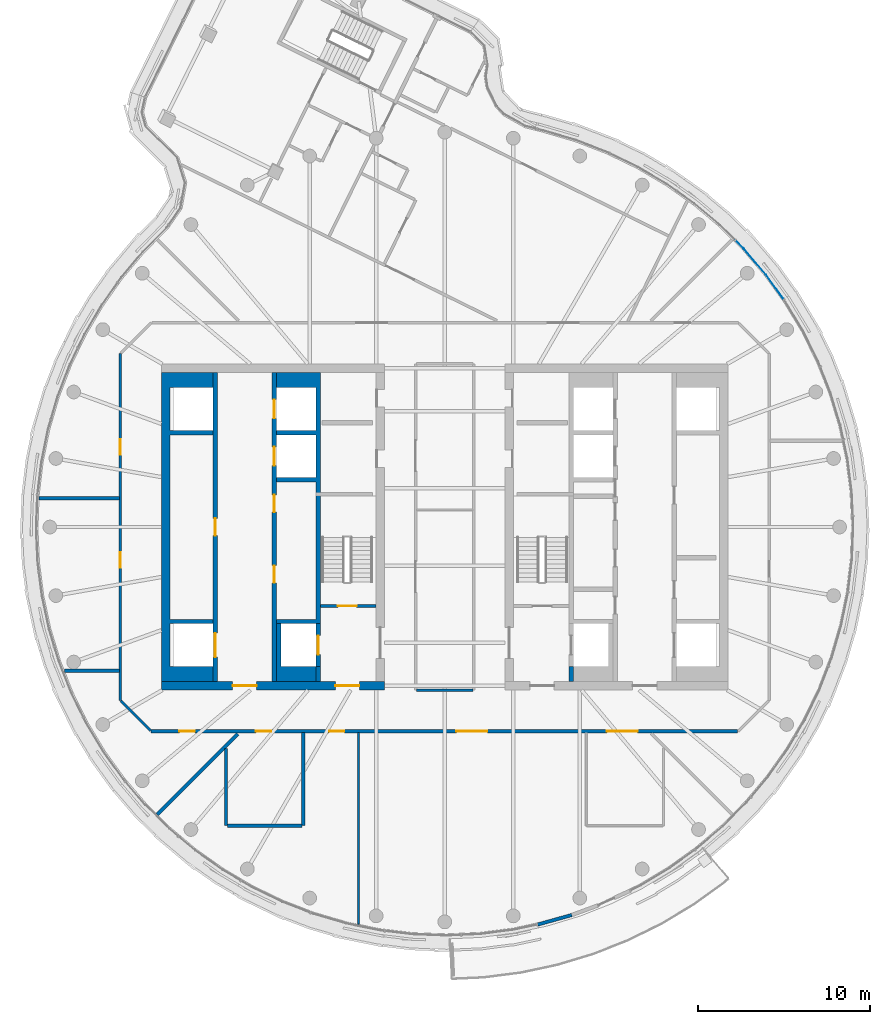
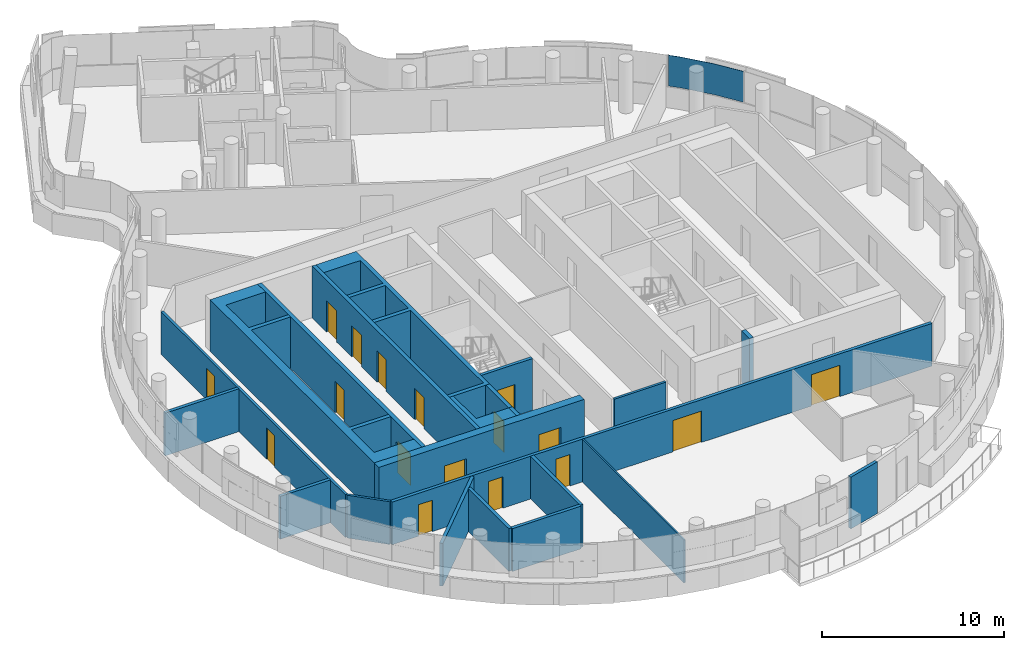
# One storey, part 13 of 21: 22 walls, 17 doors, 1 plate, 17 openings, 1 element without a shape of its own.
"""IFC4 building model written with IfcOpenShell, lengths in metres."""

from ifc_helpers import new_model, si_unit, direction, frame, frame_2d, origin, place, context, subcontext, project, spatial, polyline, rectangle, outline, extrude, material, layer, layer_set, type_object, element, fill, aggregate, save


model = new_model("IFC4")

# Units and contexts
model_context = context("Model", 3, precision=1e-05, world=origin(), true_north=direction((0.0, 1.0)))
body_context = subcontext(model_context, "Body", "Model", "MODEL_VIEW")
ifc_project = project(units=[si_unit("LENGTHUNIT", "METRE"), si_unit("AREAUNIT", "SQUARE_METRE"), si_unit("VOLUMEUNIT", "CUBIC_METRE"), si_unit("PLANEANGLEUNIT", "RADIAN"), si_unit("MASSUNIT", "GRAM", prefix="KILO")], contexts=[model_context])

# Site, building, storey
site_placement = place(None, origin())
site = spatial("IfcSite", under=ifc_project, at=site_placement, CompositionType="ELEMENT")
building_placement = place(site_placement, origin())
building = spatial("IfcBuilding", under=site, at=building_placement, Name="Tamarind Cross Interchange Tower", CompositionType="ELEMENT")
storey_placement = place(building_placement, frame((0.0, 0.0, 264.0)))
storey = spatial("IfcBuildingStorey", under=building, at=storey_placement, Name="L67", CompositionType="ELEMENT", Elevation=264.0)

# Curtain wall, plate
ifc_material_1 = material(Name="Aluminium 6063-T6", Category="aluminium")
ifc_layer_1 = layer(ifc_material_1, 0.139892578125)
ifc_layer_set_1 = layer_set([ifc_layer_1], Name="Aluminium 6063-T6")
curtain_wall_type = type_object("IfcCurtainWallType", Name="Hotel curtain wall, 4.5 m bays", PredefinedType="NOTDEFINED", material=ifc_layer_set_1)
curtain_wall_placement = place(storey_placement, origin())
curtain_wall = element("IfcCurtainWall", 1, at=curtain_wall_placement, inside=storey, type_object=curtain_wall_type, Name="CWS-L67-01", PredefinedType="NOTDEFINED")
ifc_material_2 = material(Name="Laminated low-e glass 6+1.52+6", Category="glass")
ifc_layer_2 = layer(ifc_material_2, 0.02392578125)
ifc_layer_set_2 = layer_set([ifc_layer_2], Name="Laminated low-e glass 6+1.52+6")
plate_type = type_object("IfcPlateType", Name="Vision panel CW2", PredefinedType="CURTAIN_PANEL", material=ifc_layer_set_2)
plate_placement = place(storey_placement, frame((0.0, 0.0, 1.39990234375)))
plate = element("IfcPlate", 2, at=plate_placement, type_object=plate_type, Name="CWP-L67-01-25", PredefinedType="CURTAIN_PANEL", context=body_context, shape_type="SweptSolid", body=[
    extrude(outline(polyline([(19.72412109375, 13.275634765625), (18.705810546875, 14.68896484375), (17.4287109375, 16.183349609375), (16.93359375, 16.67431640625), (16.950439453125, 16.69140625), (17.4462890625, 16.19970703125), (18.724609375, 14.703857421875), (19.743408203125, 13.28955078125), (19.72412109375, 13.275634765625)])), origin(), (0.0, 0.0, 1.0), 2.06005859375),
])
aggregate(curtain_wall, [plate])

# Wall
ifc_material_3 = material(Name="Concrete C40", Category="concrete")
ifc_layer_3 = layer(ifc_material_3, 0.199951171875)
ifc_layer_set_3 = layer_set([ifc_layer_3], Name="Concrete C40")
wall_type_1 = type_object("IfcWallType", Name="Balcony and garden door wall", PredefinedType="SOLIDWALL", material=ifc_layer_set_3)
wall_1_placement = place(storey_placement, frame((5.413330078125, -23.1552734375, 0.0), z_axis=(0.0, 0.0, 1.0), x_axis=(0.963204125622, 0.268770929203, 0.0)))
element("IfcWall", 3, at=wall_1_placement, inside=storey, type_object=wall_type_1, Name="EXW-L67-01-D15L", PredefinedType="SOLIDWALL", context=body_context, shape_type="SweptSolid", body=[
    extrude(rectangle(XDim=2.06640625, YDim=0.199951171875, at=frame_2d((1.033203125, 0.0))), origin(), (0.0, 0.0, 1.0), 3.4599609375),
])

# Wall, openings, doors
ifc_material_4 = material(Name="Concrete C50", Category="concrete")
ifc_layer_4 = layer(ifc_material_4, 0.5)
ifc_layer_set_4 = layer_set([ifc_layer_4], Name="Concrete C50")
wall_type_2 = type_object("IfcWallType", Name="Core wall 500 mm Concrete C50", PredefinedType="SHEAR", material=ifc_layer_set_4)
wall_2_placement = place(storey_placement, frame((-16.5, -9.25, 0.0), z_axis=(0.0, 0.0, 1.0), x_axis=(1.0, 0.0, 0.0)))
wall_2 = element("IfcWall", 4, at=wall_2_placement, inside=storey, type_object=wall_type_2, Name="Core wall CWL-L67-W-S", PredefinedType="SHEAR", context=body_context, shape_type="SweptSolid", body=[
    extrude(rectangle(XDim=13.0, YDim=0.5, at=frame_2d((6.5, 0.0))), origin(), (0.0, 0.0, 1.0), 3.4599609375),
])
opening_1_placement = place(wall_2_placement, frame((4.14990234375, 0.0, 0.0)))
opening_1 = element("IfcOpeningElement", 5, at=opening_1_placement, cuts=wall_2, Name="Opening DCW1", PredefinedType="OPENING", context=body_context, shape_type="SweptSolid", body=[
    extrude(rectangle(XDim=1.39990234375, YDim=2.10009765625, at=frame_2d((0.699951171875, 1.050048828125))), frame((0.0, 0.260009765625, 0.0), z_axis=(0.0, -1.0, 0.0), x_axis=(1.0, 0.0, 0.0)), (0.0, 0.0, 1.0), 0.52001953125),
])
opening_2_placement = place(wall_2_placement, frame((10.125, 0.0, 0.0)))
opening_2 = element("IfcOpeningElement", 6, at=opening_2_placement, cuts=wall_2, Name="Opening DCWF", PredefinedType="OPENING", context=body_context, shape_type="SweptSolid", body=[
    extrude(rectangle(XDim=1.39990234375, YDim=2.10009765625, at=frame_2d((0.699951171875, 1.050048828125))), frame((0.0, 0.260009765625, 0.0), z_axis=(0.0, -1.0, 0.0), x_axis=(1.0, 0.0, 0.0)), (0.0, 0.0, 1.0), 0.52001953125),
])
ifc_material_5 = material(Name="Steel, fire-resisting", Category="steel")
door_type_1 = type_object("IfcDoorType", Name="Core fire door 1400 x 2100 FD90", OperationType="SINGLE_SWING_LEFT", PredefinedType="DOOR", material=ifc_material_5)
door_1_placement = place(opening_1_placement, origin())
door_1 = element("IfcDoor", 7, at=door_1_placement, inside=storey, type_object=door_type_1, Name="L67 lift lobby door", OperationType="SINGLE_SWING_LEFT", OverallHeight=2.10009765625, OverallWidth=1.39990234375, PredefinedType="DOOR", context=body_context, shape_type="SweptSolid", body=[
    extrude(rectangle(XDim=1.39990234375, YDim=2.10009765625, at=frame_2d((0.699951171875, 1.050048828125))), frame((0.0, 0.02490234375, 0.0), z_axis=(0.0, -1.0, 0.0), x_axis=(1.0, 0.0, 0.0)), (0.0, 0.0, 1.0), 0.050048828125),
])
fill(opening_1, door_1)
door_2_placement = place(opening_2_placement, origin())
door_2 = element("IfcDoor", 8, at=door_2_placement, inside=storey, type_object=door_type_1, Name="L67 firefighting lobby end door", OperationType="SINGLE_SWING_LEFT", OverallHeight=2.10009765625, OverallWidth=1.39990234375, PredefinedType="DOOR", context=body_context, shape_type="SweptSolid", body=[
    extrude(rectangle(XDim=1.39990234375, YDim=2.10009765625, at=frame_2d((0.699951171875, 1.050048828125))), frame((0.0, 0.02490234375, 0.0), z_axis=(0.0, -1.0, 0.0), x_axis=(1.0, 0.0, 0.0)), (0.0, 0.0, 1.0), 0.050048828125),
])
fill(opening_2, door_2)

# Walls
wall_3_placement = place(storey_placement, origin())
element("IfcWall", 9, at=wall_3_placement, inside=storey, type_object=wall_type_2, Name="Core wall CWL-L67-W-A", PredefinedType="SHEAR", context=body_context, shape_type="SweptSolid", body=[
    extrude(outline(polyline([(-13.5, -8.125), (-16.0, -8.125), (-16.0, -5.625), (-13.5, -5.625), (-13.5, -5.375), (-16.0, -5.375), (-16.0, 5.375), (-13.5, 5.375), (-13.5, 5.625), (-16.0, 5.625), (-16.0, 8.125), (-13.5, 8.125), (-13.5, 9.0), (-16.0, 9.0), (-16.5, 9.0), (-16.5, -9.0), (-16.0, -9.0), (-13.5, -9.0), (-13.5, -8.125)])), origin(), (0.0, 0.0, 1.0), 3.4599609375),
])
ifc_layer_5 = layer(ifc_material_4, 0.25)
ifc_layer_set_5 = layer_set([ifc_layer_5], Name="Concrete C50")
wall_type_3 = type_object("IfcWallType", Name="Core web wall 250 mm Concrete C50", PredefinedType="SHEAR", material=ifc_layer_set_5)
wall_4_placement = place(storey_placement, origin())
element("IfcWall", 10, at=wall_4_placement, inside=storey, type_object=wall_type_3, Name="Core wall CWL-L67-W-BN", PredefinedType="SHEAR", context=body_context, shape_type="SweptSolid", body=[
    extrude(outline(polyline([(-9.800048828125, -5.375), (-9.800048828125, -5.625), (-7.5, -5.625), (-7.25, -5.625), (-7.25, 9.0), (-7.5, 9.0), (-9.800048828125, 9.0), (-9.800048828125, 8.125), (-7.5, 8.125), (-7.5, 5.625), (-9.800048828125, 5.625), (-9.800048828125, 5.375), (-7.5, 5.375), (-7.5, 2.875), (-9.800048828125, 2.875), (-9.800048828125, 2.625), (-7.5, 2.625), (-7.5, -5.375), (-9.800048828125, -5.375)])), origin(), (0.0, 0.0, 1.0), 3.4599609375),
])
wall_5_placement = place(storey_placement, origin())
element("IfcWall", 11, at=wall_5_placement, inside=storey, type_object=wall_type_3, Name="Core wall CWL-L67-W-BS", PredefinedType="SHEAR", context=body_context, shape_type="SweptSolid", body=[
    extrude(outline(polyline([(-7.5, -8.125), (-9.550048828125, -8.125), (-9.550048828125, -5.625), (-9.800048828125, -5.625), (-9.800048828125, -8.125), (-9.800048828125, -9.0), (-7.5, -9.0), (-7.5, -8.125)])), origin(), (0.0, 0.0, 1.0), 3.4599609375),
])
wall_6_placement = place(storey_placement, frame((-7.375, -9.0, 0.0), z_axis=(0.0, 0.0, 1.0), x_axis=(0.0, 1.0, 0.0)))
element("IfcWall", 12, at=wall_6_placement, inside=storey, type_object=wall_type_3, Name="Core wall CWL-L67-W-BW", PredefinedType="SHEAR", context=body_context, shape_type="SweptSolid", body=[
    extrude(rectangle(XDim=0.875, YDim=0.25, at=frame_2d((0.4375, 0.0))), origin(), (0.0, 0.0, 1.0), 3.4599609375),
])

# Wall, openings, doors
wall_7_placement = place(storey_placement, frame((-13.375, -9.0, 0.0), z_axis=(0.0, 0.0, 1.0), x_axis=(0.0, 1.0, 0.0)))
wall_7 = element("IfcWall", 13, at=wall_7_placement, inside=storey, type_object=wall_type_3, Name="Core wall CWL-L67-W-LA", PredefinedType="SHEAR", context=body_context, shape_type="SweptSolid", body=[
    extrude(rectangle(XDim=18.0, YDim=0.25, at=frame_2d((9.0, 0.0))), origin(), (0.0, 0.0, 1.0), 3.4599609375),
])
opening_3_placement = place(wall_7_placement, frame((1.425048828125, 0.0, 0.0)))
opening_3 = element("IfcOpeningElement", 14, at=opening_3_placement, cuts=wall_7, Name="Opening LD1L67", PredefinedType="OPENING", context=body_context, shape_type="SweptSolid", body=[
    extrude(rectangle(XDim=1.39990234375, YDim=2.10009765625, at=frame_2d((0.699951171875, 1.050048828125))), frame((0.0, 0.135009765625, 0.0), z_axis=(0.0, -1.0, 0.0), x_axis=(1.0, 0.0, 0.0)), (0.0, 0.0, 1.0), 0.27001953125),
])
opening_4_placement = place(wall_7_placement, frame((8.5, 0.0, 0.0)))
opening_4 = element("IfcOpeningElement", 15, at=opening_4_placement, cuts=wall_7, Name="Opening DCW9", PredefinedType="OPENING", context=body_context, shape_type="SweptSolid", body=[
    extrude(rectangle(XDim=1.0, YDim=2.10009765625, at=frame_2d((0.5, 1.050048828125))), frame((0.0, 0.135009765625, 0.0), z_axis=(0.0, -1.0, 0.0), x_axis=(1.0, 0.0, 0.0)), (0.0, 0.0, 1.0), 0.27001953125),
])
door_type_2 = type_object("IfcDoorType", Name="Core fire door 1000 x 2100 FD90", OperationType="SINGLE_SWING_LEFT", PredefinedType="DOOR", material=ifc_material_5)
door_3_placement = place(opening_4_placement, origin())
door_3 = element("IfcDoor", 16, at=door_3_placement, inside=storey, type_object=door_type_2, Name="L67 Linen press door", OperationType="SINGLE_SWING_LEFT", OverallHeight=2.10009765625, OverallWidth=1.0, PredefinedType="DOOR", context=body_context, shape_type="SweptSolid", body=[
    extrude(rectangle(XDim=1.0, YDim=2.10009765625, at=frame_2d((0.5, 1.050048828125))), frame((0.0, 0.02490234375, 0.0), z_axis=(0.0, -1.0, 0.0), x_axis=(1.0, 0.0, 0.0)), (0.0, 0.0, 1.0), 0.050048828125),
])
fill(opening_4, door_3)
ifc_material_6 = material(Name="Stainless steel panel", Category="steel")
door_type_3 = type_object("IfcDoorType", Name="Lift landing door 1400 x 2100 E 120", OperationType="SLIDING_TO_LEFT", PredefinedType="DOOR", material=ifc_material_6)
door_4_placement = place(opening_3_placement, origin())
door_4 = element("IfcDoor", 17, at=door_4_placement, inside=storey, type_object=door_type_3, Name="L67 landing door LF1", OperationType="SLIDING_TO_LEFT", OverallHeight=2.10009765625, OverallWidth=1.39990234375, PredefinedType="DOOR", context=body_context, shape_type="SweptSolid", body=[
    extrude(rectangle(XDim=1.39990234375, YDim=2.10009765625, at=frame_2d((0.699951171875, 1.050048828125))), frame((0.0, 0.02490234375, 0.0), z_axis=(0.0, -1.0, 0.0), x_axis=(1.0, 0.0, 0.0)), (0.0, 0.0, 1.0), 0.050048828125),
])
fill(opening_3, door_4)

wall_8_placement = place(storey_placement, frame((-9.925048828125, -9.0, 0.0), z_axis=(0.0, 0.0, 1.0), x_axis=(0.0, 1.0, 0.0)))
wall_8 = element("IfcWall", 18, at=wall_8_placement, inside=storey, type_object=wall_type_3, Name="Core wall CWL-L67-W-LB", PredefinedType="SHEAR", context=body_context, shape_type="SweptSolid", body=[
    extrude(rectangle(XDim=18.0, YDim=0.25, at=frame_2d((9.0, 0.0))), origin(), (0.0, 0.0, 1.0), 3.4599609375),
])
opening_5_placement = place(wall_8_placement, frame((12.574951171875, 0.0, 0.0)))
opening_5 = element("IfcOpeningElement", 19, at=opening_5_placement, cuts=wall_8, Name="Opening LD11L67", PredefinedType="OPENING", context=body_context, shape_type="SweptSolid", body=[
    extrude(rectangle(XDim=1.10009765625, YDim=2.10009765625, at=frame_2d((0.550048828125, 1.050048828125))), frame((0.0, 0.135009765625, 0.0), z_axis=(0.0, -1.0, 0.0), x_axis=(1.0, 0.0, 0.0)), (0.0, 0.0, 1.0), 0.27001953125),
])
opening_6_placement = place(wall_8_placement, frame((15.324951171875, 0.0, 0.0)))
opening_6 = element("IfcOpeningElement", 20, at=opening_6_placement, cuts=wall_8, Name="Opening LD12L67", PredefinedType="OPENING", context=body_context, shape_type="SweptSolid", body=[
    extrude(rectangle(XDim=1.10009765625, YDim=2.10009765625, at=frame_2d((0.550048828125, 1.050048828125))), frame((0.0, 0.135009765625, 0.0), z_axis=(0.0, -1.0, 0.0), x_axis=(1.0, 0.0, 0.0)), (0.0, 0.0, 1.0), 0.27001953125),
])
opening_7_placement = place(wall_8_placement, frame((5.75, 0.0, 0.0)))
opening_7 = element("IfcOpeningElement", 21, at=opening_7_placement, cuts=wall_8, Name="Opening DCW21", PredefinedType="OPENING", context=body_context, shape_type="SweptSolid", body=[
    extrude(rectangle(XDim=1.0, YDim=2.10009765625, at=frame_2d((0.5, 1.050048828125))), frame((0.0, 0.135009765625, 0.0), z_axis=(0.0, -1.0, 0.0), x_axis=(1.0, 0.0, 0.0)), (0.0, 0.0, 1.0), 0.27001953125),
])
opening_8_placement = place(wall_8_placement, frame((9.875, 0.0, 0.0)))
opening_8 = element("IfcOpeningElement", 22, at=opening_8_placement, cuts=wall_8, Name="Opening DCW21", PredefinedType="OPENING", context=body_context, shape_type="SweptSolid", body=[
    extrude(rectangle(XDim=1.0, YDim=2.10009765625, at=frame_2d((0.5, 1.050048828125))), frame((0.0, 0.135009765625, 0.0), z_axis=(0.0, -1.0, 0.0), x_axis=(1.0, 0.0, 0.0)), (0.0, 0.0, 1.0), 0.27001953125),
])
door_5_placement = place(opening_7_placement, origin())
door_5 = element("IfcDoor", 23, at=door_5_placement, inside=storey, type_object=door_type_2, Name="L67 Housekeeping pantry door", OperationType="SINGLE_SWING_LEFT", OverallHeight=2.10009765625, OverallWidth=1.0, PredefinedType="DOOR", context=body_context, shape_type="SweptSolid", body=[
    extrude(rectangle(XDim=1.0, YDim=2.10009765625, at=frame_2d((0.5, 1.050048828125))), frame((0.0, 0.02490234375, 0.0), z_axis=(0.0, -1.0, 0.0), x_axis=(1.0, 0.0, 0.0)), (0.0, 0.0, 1.0), 0.050048828125),
])
fill(opening_7, door_5)
door_6_placement = place(opening_8_placement, origin())
door_6 = element("IfcDoor", 24, at=door_6_placement, inside=storey, type_object=door_type_2, Name="L67 Housekeeping pantry door", OperationType="SINGLE_SWING_LEFT", OverallHeight=2.10009765625, OverallWidth=1.0, PredefinedType="DOOR", context=body_context, shape_type="SweptSolid", body=[
    extrude(rectangle(XDim=1.0, YDim=2.10009765625, at=frame_2d((0.5, 1.050048828125))), frame((0.0, 0.02490234375, 0.0), z_axis=(0.0, -1.0, 0.0), x_axis=(1.0, 0.0, 0.0)), (0.0, 0.0, 1.0), 0.050048828125),
])
fill(opening_8, door_6)
door_type_4 = type_object("IfcDoorType", Name="Lift landing door 1100 x 2100 E 120", OperationType="SLIDING_TO_LEFT", PredefinedType="DOOR", material=ifc_material_6)
door_7_placement = place(opening_5_placement, origin())
door_7 = element("IfcDoor", 25, at=door_7_placement, inside=storey, type_object=door_type_4, Name="L67 landing door LF11", OperationType="SLIDING_TO_LEFT", OverallHeight=2.10009765625, OverallWidth=1.10009765625, PredefinedType="DOOR", context=body_context, shape_type="SweptSolid", body=[
    extrude(rectangle(XDim=1.10009765625, YDim=2.10009765625, at=frame_2d((0.550048828125, 1.050048828125))), frame((0.0, 0.02490234375, 0.0), z_axis=(0.0, -1.0, 0.0), x_axis=(1.0, 0.0, 0.0)), (0.0, 0.0, 1.0), 0.050048828125),
])
fill(opening_5, door_7)
door_8_placement = place(opening_6_placement, origin())
door_8 = element("IfcDoor", 26, at=door_8_placement, inside=storey, type_object=door_type_4, Name="L67 landing door LF12", OperationType="SLIDING_TO_LEFT", OverallHeight=2.10009765625, OverallWidth=1.10009765625, PredefinedType="DOOR", context=body_context, shape_type="SweptSolid", body=[
    extrude(rectangle(XDim=1.10009765625, YDim=2.10009765625, at=frame_2d((0.550048828125, 1.050048828125))), frame((0.0, 0.02490234375, 0.0), z_axis=(0.0, -1.0, 0.0), x_axis=(1.0, 0.0, 0.0)), (0.0, 0.0, 1.0), 0.050048828125),
])
fill(opening_6, door_8)

# Wall, opening, door
wall_9_placement = place(storey_placement, frame((-7.375, -8.125, 0.0), z_axis=(0.0, 0.0, 1.0), x_axis=(0.0, 1.0, 0.0)))
wall_9 = element("IfcWall", 27, at=wall_9_placement, inside=storey, type_object=wall_type_3, Name="Core wall CWL-L67-W-FF", PredefinedType="SHEAR", context=body_context, shape_type="SweptSolid", body=[
    extrude(rectangle(XDim=2.5, YDim=0.25, at=frame_2d((1.25, 0.0))), origin(), (0.0, 0.0, 1.0), 3.4599609375),
])
opening_9_placement = place(wall_9_placement, frame((0.699951171875, 0.0, 0.0)))
opening_9 = element("IfcOpeningElement", 28, at=opening_9_placement, cuts=wall_9, Name="Opening LD7L67", PredefinedType="OPENING", context=body_context, shape_type="SweptSolid", body=[
    extrude(rectangle(XDim=1.10009765625, YDim=2.10009765625, at=frame_2d((0.550048828125, 1.050048828125))), frame((0.0, 0.135009765625, 0.0), z_axis=(0.0, -1.0, 0.0), x_axis=(1.0, 0.0, 0.0)), (0.0, 0.0, 1.0), 0.27001953125),
])
door_9_placement = place(opening_9_placement, origin())
door_9 = element("IfcDoor", 29, at=door_9_placement, inside=storey, type_object=door_type_4, Name="L67 landing door LF7", OperationType="SLIDING_TO_LEFT", OverallHeight=2.10009765625, OverallWidth=1.10009765625, PredefinedType="DOOR", context=body_context, shape_type="SweptSolid", body=[
    extrude(rectangle(XDim=1.10009765625, YDim=2.10009765625, at=frame_2d((0.550048828125, 1.050048828125))), frame((0.0, 0.02490234375, 0.0), z_axis=(0.0, -1.0, 0.0), x_axis=(1.0, 0.0, 0.0)), (0.0, 0.0, 1.0), 0.050048828125),
])
fill(opening_9, door_9)

# Walls
wall_10_placement = place(storey_placement, frame((7.375, -9.0, 0.0), z_axis=(0.0, 0.0, 1.0), x_axis=(0.0, 1.0, 0.0)))
element("IfcWall", 30, at=wall_10_placement, inside=storey, type_object=wall_type_3, Name="Core wall CWL-L67-E-BW", PredefinedType="SHEAR", context=body_context, shape_type="SweptSolid", body=[
    extrude(rectangle(XDim=0.875, YDim=0.25, at=frame_2d((0.4375, 0.0))), origin(), (0.0, 0.0, 1.0), 3.4599609375),
])
ifc_material_7 = material(Name="Gypsum board partition on steel studs", Category="steel")
ifc_layer_6 = layer(ifc_material_7, 0.10009765625)
ifc_layer_set_6 = layer_set([ifc_layer_6], Name="Gypsum board partition on steel studs")
wall_type_4 = type_object("IfcWallType", Name="Partition 100 mm EI 90", PredefinedType="PARTITIONING", material=ifc_layer_set_6)
wall_11_placement = place(storey_placement, frame((-5.02197265625, -23.13720703125, 0.0), z_axis=(0.0, 0.0, 1.0), x_axis=(0.0, 1.0, 0.0)))
element("IfcWall", 31, at=wall_11_placement, inside=storey, type_object=wall_type_4, Name="Partition L67-044", PredefinedType="PARTITIONING", context=body_context, shape_type="SweptSolid", body=[
    extrude(rectangle(XDim=11.1572265625, YDim=0.10009765625, at=frame_2d((5.57861328125, 0.0))), origin(), (0.0, 0.0, 1.0), 2.864013671875),
])
ifc_layer_7 = layer(ifc_material_7, 0.14990234375)
ifc_layer_set_7 = layer_set([ifc_layer_7], Name="Gypsum board partition on steel studs")
wall_type_5 = type_object("IfcWallType", Name="Partition 150 mm EI 120", PredefinedType="PARTITIONING", material=ifc_layer_set_7)
wall_12_placement = place(storey_placement, frame((-18.87158203125, -10.12841796875, 0.0), z_axis=(0.0, 0.0, 1.0), x_axis=(0.707106781187, -0.707106781187, 0.0)))
element("IfcWall", 32, at=wall_12_placement, inside=storey, type_object=wall_type_5, Name="Partition L67-001", PredefinedType="PARTITIONING", context=body_context, shape_type="SweptSolid", body=[
    extrude(rectangle(XDim=2.455078125, YDim=0.14990234375, at=frame_2d((1.2275390625, 0.0))), origin(), (0.0, 0.0, 1.0), 2.864013671875),
])
wall_13_placement = place(storey_placement, frame((-1.639892578125, -9.5, 0.0), z_axis=(0.0, 0.0, 1.0), x_axis=(1.0, 0.0, 0.0)))
element("IfcWall", 33, at=wall_13_placement, inside=storey, type_object=wall_type_5, Name="Partition L67-022", PredefinedType="PARTITIONING", context=body_context, shape_type="SweptSolid", body=[
    extrude(rectangle(XDim=3.27978515625, YDim=0.14990234375, at=frame_2d((1.639892578125, 0.0))), origin(), (0.0, 0.0, 1.0), 2.864013671875),
])

# Wall, openings, doors
wall_14_placement = place(storey_placement, frame((-18.89990234375, -10.10009765625, 0.0), z_axis=(0.0, 0.0, 1.0), x_axis=(0.0, 1.0, 0.0)))
wall_14 = element("IfcWall", 34, at=wall_14_placement, inside=storey, type_object=wall_type_5, Name="Partition L67-041", PredefinedType="PARTITIONING", context=body_context, shape_type="SweptSolid", body=[
    extrude(rectangle(XDim=20.2001953125, YDim=0.14990234375, at=frame_2d((10.10009765625, 0.0))), origin(), (0.0, 0.0, 1.0), 2.864013671875),
])
opening_10_placement = place(wall_14_placement, frame((7.72900390625, 0.0, 0.0)))
opening_10 = element("IfcOpeningElement", 35, at=opening_10_placement, cuts=wall_14, Name="Opening D20", PredefinedType="OPENING", context=body_context, shape_type="SweptSolid", body=[
    extrude(rectangle(XDim=0.89990234375, YDim=2.10009765625, at=frame_2d((0.449951171875, 1.050048828125))), frame((0.0, 0.0849609375, 0.0), z_axis=(0.0, -1.0, 0.0), x_axis=(1.0, 0.0, 0.0)), (0.0, 0.0, 1.0), 0.169921875),
])
opening_11_placement = place(wall_14_placement, frame((14.323974609375, 0.0, 0.0)))
opening_11 = element("IfcOpeningElement", 36, at=opening_11_placement, cuts=wall_14, Name="Opening D21", PredefinedType="OPENING", context=body_context, shape_type="SweptSolid", body=[
    extrude(rectangle(XDim=0.89990234375, YDim=2.10009765625, at=frame_2d((0.449951171875, 1.050048828125))), frame((0.0, 0.0849609375, 0.0), z_axis=(0.0, -1.0, 0.0), x_axis=(1.0, 0.0, 0.0)), (0.0, 0.0, 1.0), 0.169921875),
])
ifc_material_8 = material(Name="Fire-resisting door set")
door_type_5 = type_object("IfcDoorType", Name="Interior door 900 x 2100 FD60S", OperationType="SINGLE_SWING_LEFT", PredefinedType="DOOR", material=ifc_material_8)
door_10_placement = place(opening_10_placement, origin())
door_10 = element("IfcDoor", 37, at=door_10_placement, inside=storey, type_object=door_type_5, Name="Door D20", OperationType="SINGLE_SWING_RIGHT", OverallHeight=2.10009765625, OverallWidth=0.89990234375, PredefinedType="DOOR", context=body_context, shape_type="SweptSolid", body=[
    extrude(rectangle(XDim=0.89990234375, YDim=2.10009765625, at=frame_2d((0.449951171875, 1.050048828125))), frame((0.0, 0.02490234375, 0.0), z_axis=(0.0, -1.0, 0.0), x_axis=(1.0, 0.0, 0.0)), (0.0, 0.0, 1.0), 0.050048828125),
])
fill(opening_10, door_10)
door_11_placement = place(opening_11_placement, origin())
door_11 = element("IfcDoor", 38, at=door_11_placement, inside=storey, type_object=door_type_5, Name="Door D21", OperationType="SINGLE_SWING_LEFT", OverallHeight=2.10009765625, OverallWidth=0.89990234375, PredefinedType="DOOR", context=body_context, shape_type="SweptSolid", body=[
    extrude(rectangle(XDim=0.89990234375, YDim=2.10009765625, at=frame_2d((0.449951171875, 1.050048828125))), frame((0.0, 0.02490234375, 0.0), z_axis=(0.0, -1.0, 0.0), x_axis=(1.0, 0.0, 0.0)), (0.0, 0.0, 1.0), 0.050048828125),
])
fill(opening_11, door_11)

# Walls
ifc_layer_8 = layer(ifc_material_7, 0.199951171875)
ifc_layer_set_8 = layer_set([ifc_layer_8], Name="Gypsum board partition on steel studs")
wall_type_6 = type_object("IfcWallType", Name="Partition 200 mm EI 180", PredefinedType="PARTITIONING", material=ifc_layer_set_8)
wall_15_placement = place(storey_placement, frame((-23.628662109375, 1.674072265625, 0.0), z_axis=(0.0, 0.0, 1.0), x_axis=(1.0, 0.0, 0.0)))
element("IfcWall", 39, at=wall_15_placement, inside=storey, type_object=wall_type_6, Name="Partition L67-016", PredefinedType="PARTITIONING", context=body_context, shape_type="SweptSolid", body=[
    extrude(rectangle(XDim=4.673583984375, YDim=0.199951171875, at=frame_2d((2.3369140625, 0.0))), origin(), (0.0, 0.0, 1.0), 2.864013671875),
])
wall_16_placement = place(storey_placement, frame((-22.14794921875, -8.37109375, 0.0), z_axis=(0.0, 0.0, 1.0), x_axis=(1.0, 0.0, 0.0)))
element("IfcWall", 40, at=wall_16_placement, inside=storey, type_object=wall_type_6, Name="Partition L67-017", PredefinedType="PARTITIONING", context=body_context, shape_type="SweptSolid", body=[
    extrude(rectangle(XDim=3.19287109375, YDim=0.199951171875, at=frame_2d((1.596435546875, 0.0))), origin(), (0.0, 0.0, 1.0), 2.864013671875),
])

# Wall, openings, doors
wall_17_placement = place(storey_placement, frame((-17.10009765625, -11.89990234375, 0.0), z_axis=(0.0, 0.0, 1.0), x_axis=(1.0, 0.0, 0.0)))
wall_17 = element("IfcWall", 41, at=wall_17_placement, inside=storey, type_object=wall_type_6, Name="Partition L67-018", PredefinedType="PARTITIONING", context=body_context, shape_type="SweptSolid", body=[
    extrude(rectangle(XDim=34.1650390625, YDim=0.199951171875, at=frame_2d((17.08251953125, 0.0))), origin(), (0.0, 0.0, 1.0), 2.864013671875),
])
opening_12_placement = place(wall_17_placement, frame((6.10009765625, 0.0, 0.0)))
opening_12 = element("IfcOpeningElement", 42, at=opening_12_placement, cuts=wall_17, Name="Opening D06", PredefinedType="OPENING", context=body_context, shape_type="SweptSolid", body=[
    extrude(rectangle(XDim=0.89990234375, YDim=2.10009765625, at=frame_2d((0.449951171875, 1.050048828125))), frame((0.0, 0.10986328125, 0.0), z_axis=(0.0, -1.0, 0.0), x_axis=(1.0, 0.0, 0.0)), (0.0, 0.0, 1.0), 0.219970703125),
])
opening_13_placement = place(wall_17_placement, frame((26.541015625, 0.0, 0.0)))
opening_13 = element("IfcOpeningElement", 43, at=opening_13_placement, cuts=wall_17, Name="Opening D07", PredefinedType="OPENING", context=body_context, shape_type="SweptSolid", body=[
    extrude(rectangle(XDim=1.800048828125, YDim=2.10009765625, at=frame_2d((0.89990234375, 1.050048828125))), frame((0.0, 0.10986328125, 0.0), z_axis=(0.0, -1.0, 0.0), x_axis=(1.0, 0.0, 0.0)), (0.0, 0.0, 1.0), 0.219970703125),
])
opening_14_placement = place(wall_17_placement, frame((17.778076171875, 0.0, 0.0)))
opening_14 = element("IfcOpeningElement", 44, at=opening_14_placement, cuts=wall_17, Name="Opening D08", PredefinedType="OPENING", context=body_context, shape_type="SweptSolid", body=[
    extrude(rectangle(XDim=1.800048828125, YDim=2.10009765625, at=frame_2d((0.89990234375, 1.050048828125))), frame((0.0, 0.10986328125, 0.0), z_axis=(0.0, -1.0, 0.0), x_axis=(1.0, 0.0, 0.0)), (0.0, 0.0, 1.0), 0.219970703125),
])
opening_15_placement = place(wall_17_placement, frame((10.35888671875, 0.0, 0.0)))
opening_15 = element("IfcOpeningElement", 45, at=opening_15_placement, cuts=wall_17, Name="Opening D09", PredefinedType="OPENING", context=body_context, shape_type="SweptSolid", body=[
    extrude(rectangle(XDim=0.89990234375, YDim=2.10009765625, at=frame_2d((0.449951171875, 1.050048828125))), frame((0.0, 0.10986328125, 0.0), z_axis=(0.0, -1.0, 0.0), x_axis=(1.0, 0.0, 0.0)), (0.0, 0.0, 1.0), 0.219970703125),
])
opening_16_placement = place(wall_17_placement, frame((1.64990234375, 0.0, 0.0)))
opening_16 = element("IfcOpeningElement", 46, at=opening_16_placement, cuts=wall_17, Name="Opening D10", PredefinedType="OPENING", context=body_context, shape_type="SweptSolid", body=[
    extrude(rectangle(XDim=0.89990234375, YDim=2.10009765625, at=frame_2d((0.449951171875, 1.050048828125))), frame((0.0, 0.10986328125, 0.0), z_axis=(0.0, -1.0, 0.0), x_axis=(1.0, 0.0, 0.0)), (0.0, 0.0, 1.0), 0.219970703125),
])
door_type_6 = type_object("IfcDoorType", Name="Interior door 1800 x 2100 FD120S", OperationType="DOUBLE_DOOR_SINGLE_SWING", PredefinedType="DOOR", material=ifc_material_8)
door_12_placement = place(opening_13_placement, frame((1.800048828125, 0.0, 0.0), z_axis=(0.0, 0.0, 1.0), x_axis=(-1.0, 0.0, 0.0)))
door_12 = element("IfcDoor", 47, at=door_12_placement, inside=storey, type_object=door_type_6, Name="Door D07", OperationType="DOUBLE_DOOR_SINGLE_SWING", OverallHeight=2.10009765625, OverallWidth=1.800048828125, PredefinedType="DOOR", context=body_context, shape_type="SweptSolid", body=[
    extrude(rectangle(XDim=1.800048828125, YDim=2.10009765625, at=frame_2d((0.89990234375, 1.050048828125))), frame((0.0, 0.02490234375, 0.0), z_axis=(0.0, -1.0, 0.0), x_axis=(1.0, 0.0, 0.0)), (0.0, 0.0, 1.0), 0.050048828125),
])
fill(opening_13, door_12)
door_13_placement = place(opening_14_placement, origin())
door_13 = element("IfcDoor", 48, at=door_13_placement, inside=storey, type_object=door_type_6, Name="Door D08", OperationType="DOUBLE_DOOR_SINGLE_SWING", OverallHeight=2.10009765625, OverallWidth=1.800048828125, PredefinedType="DOOR", context=body_context, shape_type="SweptSolid", body=[
    extrude(rectangle(XDim=1.800048828125, YDim=2.10009765625, at=frame_2d((0.89990234375, 1.050048828125))), frame((0.0, 0.02490234375, 0.0), z_axis=(0.0, -1.0, 0.0), x_axis=(1.0, 0.0, 0.0)), (0.0, 0.0, 1.0), 0.050048828125),
])
fill(opening_14, door_13)
door_type_7 = type_object("IfcDoorType", Name="Interior door 900 x 2100 FD120S", OperationType="SINGLE_SWING_LEFT", PredefinedType="DOOR", material=ifc_material_8)
door_14_placement = place(opening_12_placement, frame((0.89990234375, 0.0, 0.0), z_axis=(0.0, 0.0, 1.0), x_axis=(-1.0, 0.0, 0.0)))
door_14 = element("IfcDoor", 49, at=door_14_placement, inside=storey, type_object=door_type_7, Name="Door D06", OperationType="SINGLE_SWING_LEFT", OverallHeight=2.10009765625, OverallWidth=0.89990234375, PredefinedType="DOOR", context=body_context, shape_type="SweptSolid", body=[
    extrude(rectangle(XDim=0.89990234375, YDim=2.10009765625, at=frame_2d((0.449951171875, 1.050048828125))), frame((0.0, 0.02490234375, 0.0), z_axis=(0.0, -1.0, 0.0), x_axis=(1.0, 0.0, 0.0)), (0.0, 0.0, 1.0), 0.050048828125),
])
fill(opening_12, door_14)
door_15_placement = place(opening_15_placement, frame((0.89990234375, 0.0, 0.0), z_axis=(0.0, 0.0, 1.0), x_axis=(-1.0, 0.0, 0.0)))
door_15 = element("IfcDoor", 50, at=door_15_placement, inside=storey, type_object=door_type_7, Name="Door D09", OperationType="SINGLE_SWING_LEFT", OverallHeight=2.10009765625, OverallWidth=0.89990234375, PredefinedType="DOOR", context=body_context, shape_type="SweptSolid", body=[
    extrude(rectangle(XDim=0.89990234375, YDim=2.10009765625, at=frame_2d((0.449951171875, 1.050048828125))), frame((0.0, 0.02490234375, 0.0), z_axis=(0.0, -1.0, 0.0), x_axis=(1.0, 0.0, 0.0)), (0.0, 0.0, 1.0), 0.050048828125),
])
fill(opening_15, door_15)
door_16_placement = place(opening_16_placement, frame((0.89990234375, 0.0, 0.0), z_axis=(0.0, 0.0, 1.0), x_axis=(-1.0, 0.0, 0.0)))
door_16 = element("IfcDoor", 51, at=door_16_placement, inside=storey, type_object=door_type_7, Name="Door D10", OperationType="SINGLE_SWING_LEFT", OverallHeight=2.10009765625, OverallWidth=0.89990234375, PredefinedType="DOOR", context=body_context, shape_type="SweptSolid", body=[
    extrude(rectangle(XDim=0.89990234375, YDim=2.10009765625, at=frame_2d((0.449951171875, 1.050048828125))), frame((0.0, 0.02490234375, 0.0), z_axis=(0.0, -1.0, 0.0), x_axis=(1.0, 0.0, 0.0)), (0.0, 0.0, 1.0), 0.050048828125),
])
fill(opening_16, door_16)

# Walls
wall_18_placement = place(storey_placement, frame((-12.660888671875, -17.39990234375, 0.0), z_axis=(0.0, 0.0, 1.0), x_axis=(1.0, 0.0, 0.0)))
element("IfcWall", 52, at=wall_18_placement, inside=storey, type_object=wall_type_6, Name="Partition L67-020", PredefinedType="PARTITIONING", context=body_context, shape_type="SweptSolid", body=[
    extrude(rectangle(XDim=4.33984375, YDim=0.199951171875, at=frame_2d((2.169921875, 0.0))), origin(), (0.0, 0.0, 1.0), 2.864013671875),
])
wall_19_placement = place(storey_placement, frame((-16.740478515625, -16.740478515625, 0.0), z_axis=(0.0, 0.0, 1.0), x_axis=(0.707106781187, 0.707106781187, 0.0)))
element("IfcWall", 53, at=wall_19_placement, inside=storey, type_object=wall_type_6, Name="Partition L67-027", PredefinedType="PARTITIONING", context=body_context, shape_type="SweptSolid", body=[
    extrude(rectangle(XDim=6.630615234375, YDim=0.199951171875, at=frame_2d((3.3154296875, 0.0))), origin(), (0.0, 0.0, 1.0), 2.864013671875),
])
wall_20_placement = place(storey_placement, frame((-12.740966796875, -17.39990234375, 0.0), z_axis=(0.0, 0.0, 1.0), x_axis=(0.0, 1.0, 0.0)))
element("IfcWall", 54, at=wall_20_placement, inside=storey, type_object=wall_type_6, Name="Partition L67-042", PredefinedType="PARTITIONING", context=body_context, shape_type="SweptSolid", body=[
    extrude(rectangle(XDim=4.4990234375, YDim=0.199951171875, at=frame_2d((2.24951171875, 0.0))), origin(), (0.0, 0.0, 1.0), 2.864013671875),
])
wall_21_placement = place(storey_placement, frame((-8.240966796875, -17.39990234375, 0.0), z_axis=(0.0, 0.0, 1.0), x_axis=(0.0, 1.0, 0.0)))
element("IfcWall", 55, at=wall_21_placement, inside=storey, type_object=wall_type_6, Name="Partition L67-043", PredefinedType="PARTITIONING", context=body_context, shape_type="SweptSolid", body=[
    extrude(rectangle(XDim=5.419921875, YDim=0.199951171875, at=frame_2d((2.7099609375, 0.0))), origin(), (0.0, 0.0, 1.0), 2.864013671875),
])

# Wall, opening, door
ifc_layer_9 = layer(ifc_material_3, 0.199951171875)
ifc_layer_set_9 = layer_set([ifc_layer_9], Name="Concrete C40")
wall_type_7 = type_object("IfcWallType", Name="Stair shaft wall 200 mm Concrete C40", PredefinedType="SHEAR", material=ifc_layer_set_9)
wall_22_placement = place(storey_placement, frame((-7.25, -4.60009765625, 0.0), z_axis=(0.0, 0.0, 1.0), x_axis=(1.0, 0.0, 0.0)))
wall_22 = element("IfcWall", 56, at=wall_22_placement, inside=storey, type_object=wall_type_7, Name="Core wall CWL-L67-W-SD", PredefinedType="SHEAR", context=body_context, shape_type="SweptSolid", body=[
    extrude(rectangle(XDim=3.25, YDim=0.199951171875, at=frame_2d((1.625, 0.0))), origin(), (0.0, 0.0, 1.0), 3.4599609375),
])
opening_17_placement = place(wall_22_placement, frame((1.02490234375, 0.0, 0.0)))
opening_17 = element("IfcOpeningElement", 57, at=opening_17_placement, cuts=wall_22, Name="Opening DCW6", PredefinedType="OPENING", context=body_context, shape_type="SweptSolid", body=[
    extrude(rectangle(XDim=1.10009765625, YDim=2.10009765625, at=frame_2d((0.550048828125, 1.050048828125))), frame((0.0, 0.10986328125, 0.0), z_axis=(0.0, -1.0, 0.0), x_axis=(1.0, 0.0, 0.0)), (0.0, 0.0, 1.0), 0.219970703125),
])
door_type_8 = type_object("IfcDoorType", Name="Core fire door 1100 x 2100 FD90", OperationType="SINGLE_SWING_LEFT", PredefinedType="DOOR", material=ifc_material_5)
door_17_placement = place(opening_17_placement, origin())
door_17 = element("IfcDoor", 58, at=door_17_placement, inside=storey, type_object=door_type_8, Name="L67 stair door", OperationType="SINGLE_SWING_LEFT", OverallHeight=2.10009765625, OverallWidth=1.10009765625, PredefinedType="DOOR", context=body_context, shape_type="SweptSolid", body=[
    extrude(rectangle(XDim=1.10009765625, YDim=2.10009765625, at=frame_2d((0.550048828125, 1.050048828125))), frame((0.0, 0.02490234375, 0.0), z_axis=(0.0, -1.0, 0.0), x_axis=(1.0, 0.0, 0.0)), (0.0, 0.0, 1.0), 0.050048828125),
])
fill(opening_17, door_17)

save(model, "model.ifc")
